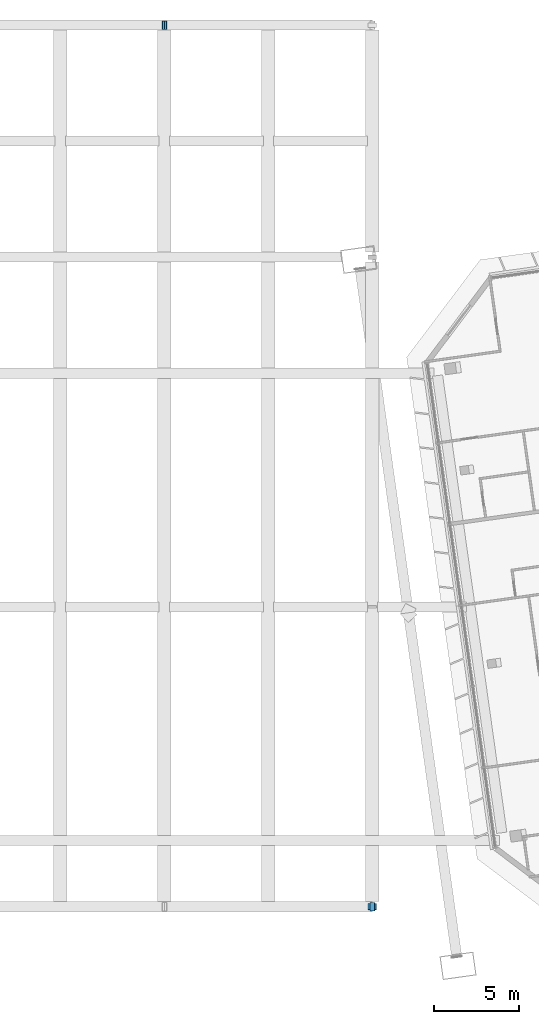
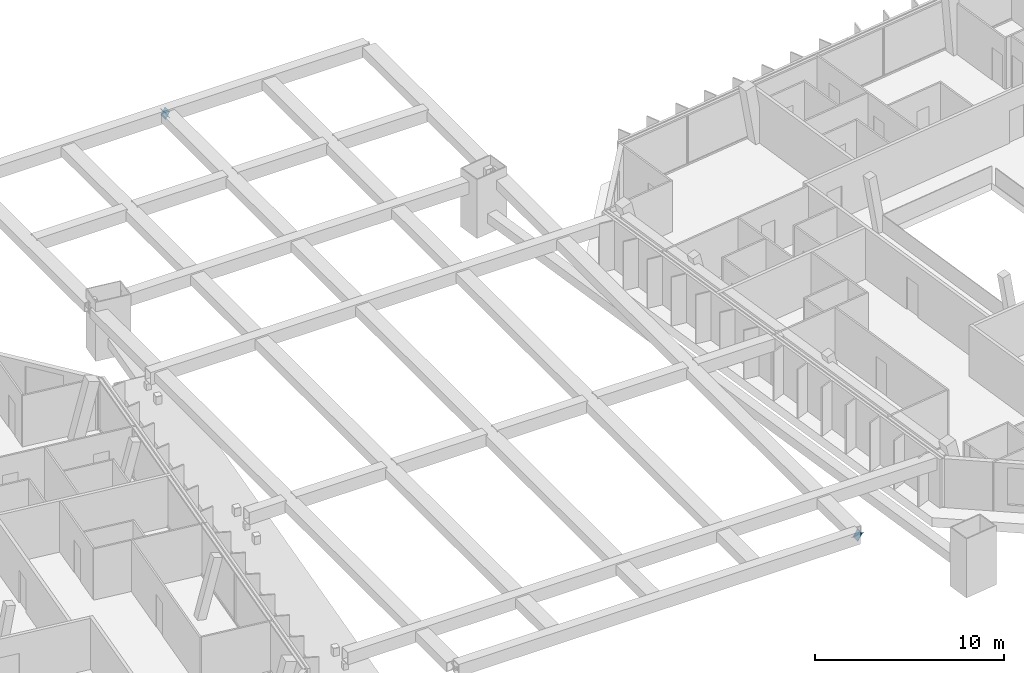
# One storey, part 31 of 36: 4 discrete accessories.
"""IFC4 building model written with IfcOpenShell, lengths in metres."""

from ifc_helpers import new_model, si_unit, direction, frame, origin, origin_2d, place, context, subcontext, project, spatial, rectangle, extrude, material, material_profile, profile_set, type_object, element, save


model = new_model("IFC4")

# Units and contexts
model_context = context("Model", 3, precision=1e-05, world=origin(), true_north=direction((0.0, 1.0)))
body_context = subcontext(model_context, "Body", "Model", "MODEL_VIEW")
ifc_project = project(units=[si_unit("LENGTHUNIT", "METRE"), si_unit("AREAUNIT", "SQUARE_METRE"), si_unit("VOLUMEUNIT", "CUBIC_METRE"), si_unit("PLANEANGLEUNIT", "RADIAN"), si_unit("MASSUNIT", "GRAM", prefix="KILO")], contexts=[model_context])

# Site, building, storey
site_placement = place(None, origin())
site = spatial("IfcSite", under=ifc_project, at=site_placement, CompositionType="ELEMENT")
building_placement = place(site_placement, origin())
building = spatial("IfcBuilding", under=site, at=building_placement, Name="Mirante Cascada Hotel Towers", CompositionType="ELEMENT")
storey_placement = place(building_placement, frame((0.0, 0.0, 254.6)))
storey = spatial("IfcBuildingStorey", under=building, at=storey_placement, Name="L61", CompositionType="ELEMENT", Elevation=254.6)

# Discrete accessories
ifc_material = material(Name="Steel ASTM A572 Gr 50", Category="steel")
ifc_material_profile = material_profile(ifc_material, rectangle(XDim=0.5, YDim=0.5, at=origin_2d()), Name="Connection plate 500x500x25 ASTM A572 Gr 50")
ifc_profile_set = profile_set([ifc_material_profile], Name="Steel ASTM A572 Gr 50")
discrete_accessory_type = type_object("IfcDiscreteAccessoryType", Name="Connection plate 500x500x25 ASTM A572 Gr 50", PredefinedType="BRACKET", material=ifc_profile_set)
for number, where, z_axis, x_axis, name in (
    (1, (12.2514, -21.5242, 2.8913), (0.0, 0.7170505, 0.6970212), (-1.0, 0.0, 0.0), "Connection plate SP-D5"),
    (2, (0.0106, 30.4142, 2.8934), (-0.8488969, 0.0, 0.5285585), (0.0, -1.0, 0.0), "Connection plate SP-ETD"),
    (3, (-0.0106, 30.4142, 2.8934), (0.8488969, 0.0, 0.5285585), (0.0, 1.0, 0.0), "Connection plate SP-ETD"),
):
    element("IfcDiscreteAccessory", number, at=place(storey_placement, frame(where, z_axis=z_axis, x_axis=x_axis)), inside=storey, type_object=discrete_accessory_type, Name=name, PredefinedType="BRACKET", context=body_context, shape_type="SweptSolid", body=[
        extrude(rectangle(XDim=0.5, YDim=0.5, at=origin_2d()), origin(), (0.0, 0.0, 1.0), 0.025),
    ])
discrete_accessory_placement = place(storey_placement, frame((12.262, -21.5153, 2.8934), z_axis=(-0.8500099, 0.0, 0.5267667), x_axis=(0.0, -1.0, 0.0)))
element("IfcDiscreteAccessory", 4, at=discrete_accessory_placement, inside=storey, type_object=discrete_accessory_type, Name="Connection plate SP-ERD", PredefinedType="BRACKET", context=body_context, shape_type="SweptSolid", body=[
    extrude(rectangle(XDim=0.5, YDim=0.5, at=origin_2d()), origin(), (0.0, 0.0, 1.0), 0.0251),
])

save(model, "model.ifc")
